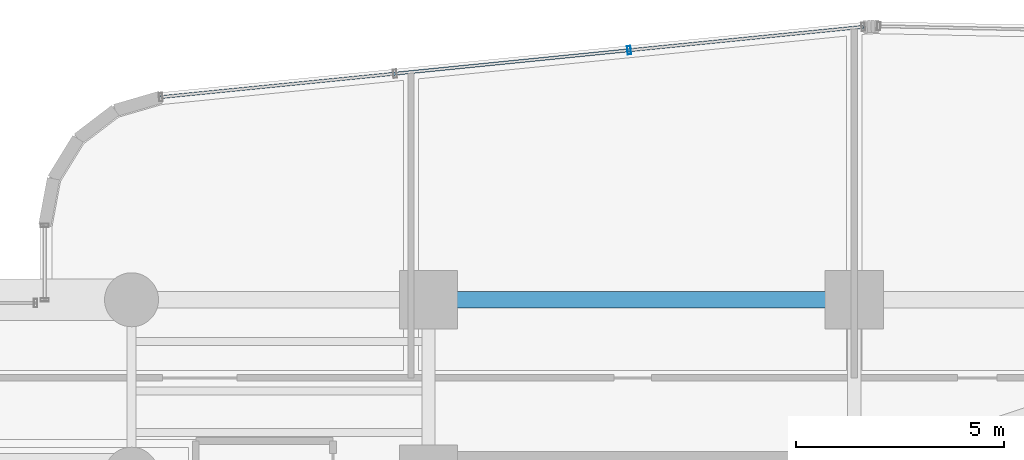
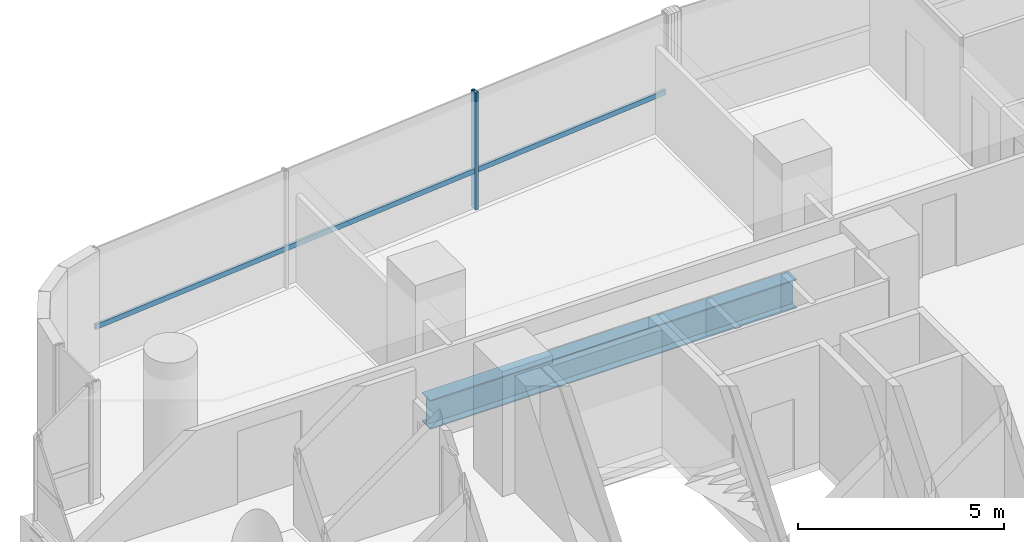
# One storey, part 20 of 41: 2 members, 1 beam, 1 element without a shape of its own.
"""IFC4 building model written with IfcOpenShell, lengths in metres."""

from ifc_helpers import new_model, si_unit, direction, frame, origin, origin_2d, place, context, subcontext, project, spatial, hollow_rectangle, i_section, extrude, source, transform, mapped, material, material_profile, profile_set, type_object, element, aggregate, save


model = new_model("IFC4")

# Units and contexts
model_context = context("Model", 3, precision=1e-05, world=origin(), true_north=direction((0.0, 1.0)))
body_context = subcontext(model_context, "Body", "Model", "MODEL_VIEW")
ifc_project = project(units=[si_unit("LENGTHUNIT", "METRE"), si_unit("AREAUNIT", "SQUARE_METRE"), si_unit("VOLUMEUNIT", "CUBIC_METRE"), si_unit("PLANEANGLEUNIT", "RADIAN"), si_unit("MASSUNIT", "GRAM", prefix="KILO")], contexts=[model_context])

# Site, building, storey
site_placement = place(None, origin())
site = spatial("IfcSite", under=ifc_project, at=site_placement, CompositionType="ELEMENT")
building_placement = place(site_placement, origin())
building = spatial("IfcBuilding", under=site, at=building_placement, Name="Valdorenza Pilgrim Sanctuary Tower", CompositionType="ELEMENT")
storey_placement = place(building_placement, frame((0.0, 0.0, 85.199951171875)))
storey = spatial("IfcBuildingStorey", under=building, at=storey_placement, Name="L21", CompositionType="ELEMENT", Elevation=85.199951171875)

# Beam
ifc_material_1 = material(Name="Steel ASTM A992 Grade 50", Category="steel")
ifc_material_profile_1 = material_profile(ifc_material_1, i_section(OverallWidth=0.39990234375, OverallDepth=0.862060546875, WebThickness=0.019775390625, FlangeThickness=0.032470703125, at=origin_2d()), Name="W33X221")
ifc_profile_set_1 = profile_set([ifc_material_profile_1], Name="Steel ASTM A992 Grade 50")
beam_type = type_object("IfcBeamType", Name="STR-BM-GRD-W33", PredefinedType="BEAM", material=ifc_profile_set_1)
shared_shape_1 = source(origin(), body_context, "Body", "SweptSolid", [
    extrude(i_section(OverallWidth=0.39990234375, OverallDepth=0.862060546875, WebThickness=0.019775390625, FlangeThickness=0.032470703125, at=origin_2d()), origin(), (0.0, 0.0, 1.0), 10.25),
])
beam_placement = place(storey_placement, frame((-22.64990234375, 14.800048828125, -0.6708984375), z_axis=(1.0, 0.0, 0.0), x_axis=(0.0, 1.0, 0.0)))
element("IfcBeam", 1, at=beam_placement, inside=storey, type_object=beam_type, Name="L21 Floor Girder CA-XC-N2", PredefinedType="BEAM", context=body_context, shape_type="MappedRepresentation", body=[
    mapped(shared_shape_1, transform((0.0, 0.0, 0.0), x_axis=(1.0, 0.0, 0.0), y_axis=(0.0, 1.0, 0.0), z_axis=(0.0, 0.0, 1.0), scale=1.0)),
])

# Curtain wall, members
ifc_material_2 = material(Name="Curtain-wall IGU glazing", Category="glass")
curtain_wall_type = type_object("IfcCurtainWallType", Name="CW-SYS-02", PredefinedType="NOTDEFINED", material=ifc_material_2)
curtain_wall_placement = place(storey_placement, origin())
curtain_wall = element("IfcCurtainWall", 2, at=curtain_wall_placement, inside=storey, type_object=curtain_wall_type, Name="L21 Curtain Wall CW-L21-1-6", PredefinedType="NOTDEFINED")
ifc_material_3 = material(Name="Anodised aluminium AW-6060", Category="aluminium")
ifc_material_profile_2 = material_profile(ifc_material_3, hollow_rectangle(XDim=0.0849609375, YDim=0.199951171875, WallThickness=0.0048828125, at=origin_2d()), Name="ALU-M 200x85x5")
ifc_profile_set_2 = profile_set([ifc_material_profile_2], Name="Anodised aluminium AW-6060")
member_type_1 = type_object("IfcMemberType", Name="CW-MUL-02", PredefinedType="MULLION", material=ifc_profile_set_2)
shared_shape_2 = source(origin(), body_context, "Body", "SweptSolid", [
    extrude(hollow_rectangle(XDim=0.0849609375, YDim=0.199951171875, WallThickness=0.0048828125, at=origin_2d()), origin(), (0.0, 0.0, 1.0), 3.4599609375),
])
member_1_placement = place(storey_placement, frame((-17.820556640625, 20.8076171875, 0.0), z_axis=(0.0, 0.0, 1.0), x_axis=(0.995038220239, 0.099493418189, 0.0)))
member_1 = element("IfcMember", 3, at=member_1_placement, type_object=member_type_1, Name="CW-L21-1-6 Mullion 3", PredefinedType="MULLION", context=body_context, shape_type="MappedRepresentation", body=[
    mapped(shared_shape_2, transform((0.0, 0.0, 0.0), x_axis=(1.0, 0.0, 0.0), y_axis=(0.0, 1.0, 0.0), z_axis=(0.0, 0.0, 1.0), scale=1.0)),
])
ifc_material_profile_3 = material_profile(ifc_material_3, hollow_rectangle(XDim=0.074951171875, YDim=0.14990234375, WallThickness=0.00390625, at=origin_2d()), Name="ALU-T 150x75x4")
ifc_profile_set_3 = profile_set([ifc_material_profile_3], Name="Anodised aluminium AW-6060")
member_type_2 = type_object("IfcMemberType", Name="CW-TRN-02", PredefinedType="USERDEFINED", material=ifc_profile_set_3)
shared_shape_3 = source(origin(), body_context, "Body", "SweptSolid", [
    extrude(hollow_rectangle(XDim=0.074951171875, YDim=0.14990234375, WallThickness=0.00390625, at=origin_2d()), origin(), (0.0, 0.0, 1.0), 17.0),
])
member_2_placement = place(storey_placement, frame((-29.097412109375, 19.6796875, 1.1201171875), z_axis=(0.99503662143, 0.099509406661, 0.0), x_axis=(-0.099509406661, 0.99503662143, 0.0)))
member_2 = element("IfcMember", 4, at=member_2_placement, type_object=member_type_2, Name="CW-L21-1-6 Transom 1", ObjectType="TRANSOM", PredefinedType="USERDEFINED", context=body_context, shape_type="MappedRepresentation", body=[
    mapped(shared_shape_3, transform((0.0, 0.0, 0.0), x_axis=(1.0, 0.0, 0.0), y_axis=(0.0, 1.0, 0.0), z_axis=(0.0, 0.0, 1.0), scale=1.0)),
])
aggregate(curtain_wall, [member_1, member_2])

save(model, "model.ifc")
